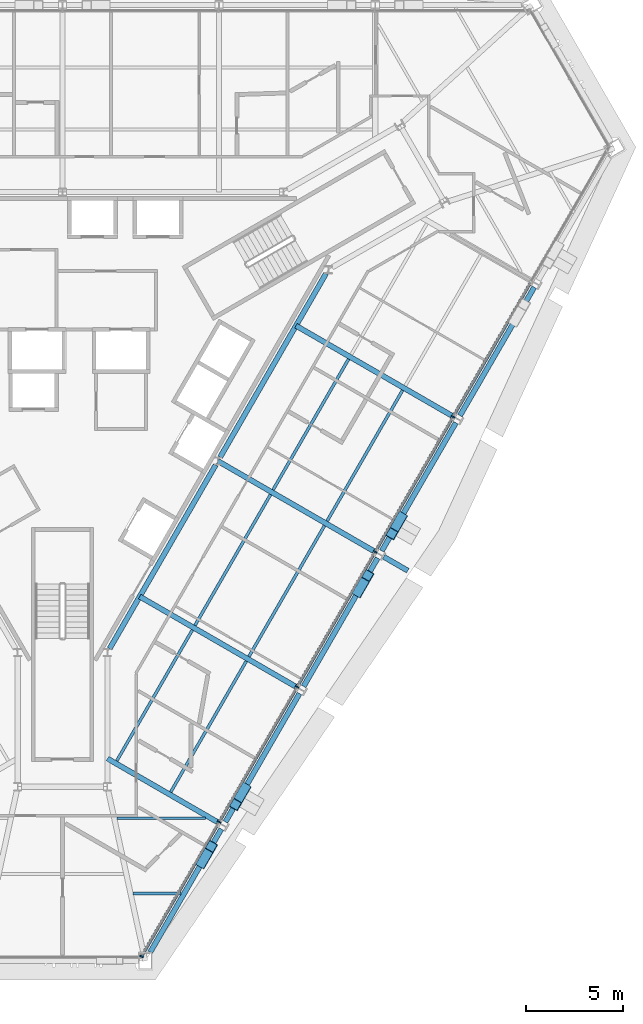
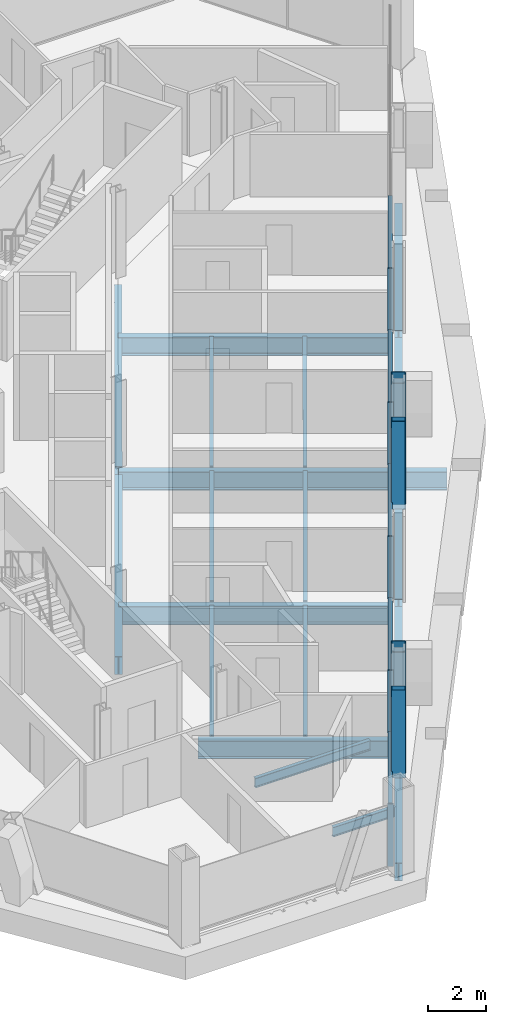
# One storey, part 5 of 16: 20 beams, 14 members, 1 element without a shape of its own.
"""IFC4 building model written with IfcOpenShell, lengths in metres."""

from ifc_helpers import new_model, si_unit, direction, frame, origin, origin_2d, place, context, subcontext, project, spatial, rectangle, hollow_rectangle, i_section, extrude, material, material_profile, profile_set, type_object, element, aggregate, save


model = new_model("IFC4")

# Units and contexts
model_context = context("Model", 3, precision=1e-05, world=origin(), true_north=direction((0.0, 1.0)))
body_context = subcontext(model_context, "Body", "Model", "MODEL_VIEW")
ifc_project = project(units=[si_unit("LENGTHUNIT", "METRE"), si_unit("AREAUNIT", "SQUARE_METRE"), si_unit("VOLUMEUNIT", "CUBIC_METRE"), si_unit("PLANEANGLEUNIT", "RADIAN"), si_unit("MASSUNIT", "GRAM", prefix="KILO")], contexts=[model_context])

# Site, building, storey
site_placement = place(None, origin())
site = spatial("IfcSite", under=ifc_project, at=site_placement, CompositionType="ELEMENT")
building_placement = place(site_placement, origin())
building = spatial("IfcBuilding", under=site, at=building_placement, Name="Verrane Prism Tower", CompositionType="ELEMENT")
storey_placement = place(building_placement, frame((0.0, 0.0, 110.800048828125)))
storey = spatial("IfcBuildingStorey", under=building, at=storey_placement, Name="L26", CompositionType="ELEMENT", Elevation=110.800048828125)

# Beams
ifc_material_1 = material(Name="Steel A992", Category="steel")
ifc_material_profile_1 = material_profile(ifc_material_1, i_section(OverallWidth=0.2666015625, OverallDepth=0.7568359375, WebThickness=0.013916015625, FlangeThickness=0.019287109375, FilletRadius=0.0166015625, at=origin_2d()), Name="W30x108")
ifc_profile_set_1 = profile_set([ifc_material_profile_1], Name="Steel A992")
beam_type_1 = type_object("IfcBeamType", Name="Core ring girder W30x108", PredefinedType="BEAM", material=ifc_profile_set_1)
beam_1_placement = place(storey_placement, frame((2.4150390625, -14.220703125, -0.628662109375), z_axis=(0.500034555306, 0.86600545235, 0.0), x_axis=(-0.86600545235, 0.500034555306, 0.0)))
element("IfcBeam", 1, at=beam_1_placement, inside=storey, type_object=beam_type_1, Name="Core ring girder L26", PredefinedType="BEAM", context=body_context, shape_type="SweptSolid", body=[
    extrude(i_section(OverallWidth=0.2666015625, OverallDepth=0.7568359375, WebThickness=0.013916015625, FlangeThickness=0.019287109375, FilletRadius=0.0166015625, at=origin_2d()), origin(), (0.0, 0.0, 1.0), 10.879150390625),
])
beam_2_placement = place(storey_placement, frame((8.0849609375, -4.400634765625, -0.628662109375), z_axis=(0.4993706109, 0.866388476937, 0.0), x_axis=(-0.866388476937, 0.4993706109, 0.0)))
element("IfcBeam", 2, at=beam_2_placement, inside=storey, type_object=beam_type_1, Name="Core ring girder L26", PredefinedType="BEAM", context=body_context, shape_type="SweptSolid", body=[
    extrude(i_section(OverallWidth=0.2666015625, OverallDepth=0.7568359375, WebThickness=0.013916015625, FlangeThickness=0.019287109375, FilletRadius=0.0166015625, at=origin_2d()), origin(), (0.0, 0.0, 1.0), 10.8740234375),
])

# Members
ifc_material_2 = material(Name="Steel A1085 Grade A", Category="steel")
ifc_material_profile_2 = material_profile(ifc_material_2, hollow_rectangle(XDim=0.508056640625, YDim=0.508056640625, WallThickness=0.025390625, InnerFilletRadius=0.0126953125, OuterFilletRadius=0.0380859375, at=origin_2d()), Name="HSS20x20x1")
ifc_profile_set_2 = profile_set([ifc_material_profile_2], Name="Steel A1085 Grade A")
member_type_1 = type_object("IfcMemberType", Name="Facade brace HSS20x20x1", PredefinedType="BRACE", material=ifc_profile_set_2)
for number, where, z_axis, x_axis, name in (
    (3, (7.1513671875, -25.194091796875, -0.24267578125), (0.151645245186, 0.262769272383, 0.952867267306), (-0.866117682712, 0.499840134137, 0.0), "Facade brace SE0 L26"),
    (4, (9.3486328125, -21.385986328125, -0.24267578125), (-0.151645245186, -0.262769272383, 0.952867267306), (0.866117682712, -0.499840134137, 0.0), "Facade brace SE1 L26"),
    (5, (15.17138671875, -11.294189453125, -0.24267578125), (0.151645245186, 0.262769272383, 0.952867267306), (-0.866117682712, 0.499840134137, 0.0), "Facade brace SE2 L26"),
):
    element("IfcMember", number, at=place(storey_placement, frame(where, z_axis=z_axis, x_axis=x_axis)), inside=storey, type_object=member_type_1, Name=name, PredefinedType="BRACE", context=body_context, shape_type="SweptSolid", body=[
        extrude(hollow_rectangle(XDim=0.508056640625, YDim=0.508056640625, WallThickness=0.025390625, InnerFilletRadius=0.0126953125, OuterFilletRadius=0.0380859375, at=origin_2d()), origin(), (0.0, 0.0, 1.0), 3.156982421875),
    ])
member_1_placement = place(storey_placement, frame((17.36865234375, -7.488525390625, -0.24267578125), z_axis=(-0.151657565217, -0.262481272997, 0.952944680576), x_axis=(0.865862617474, -0.500281848222, 0.0)))
element("IfcMember", 6, at=member_1_placement, inside=storey, type_object=member_type_1, Name="Facade brace SE3 L26", PredefinedType="BRACE", context=body_context, shape_type="SweptSolid", body=[
    extrude(hollow_rectangle(XDim=0.508056640625, YDim=0.508056640625, WallThickness=0.025390625, InnerFilletRadius=0.0126953125, OuterFilletRadius=0.0380859375, at=origin_2d()), origin(), (0.0, 0.0, 1.0), 3.15673828125),
])

# Beams
ifc_material_3 = material(Name="Steel A992", Category="steel")
ifc_material_profile_3 = material_profile(ifc_material_3, i_section(OverallWidth=0.140380859375, OverallDepth=0.40380859375, WebThickness=0.007080078125, FlangeThickness=0.01123046875, FilletRadius=0.01025390625, at=origin_2d()), Name="W16x31")
ifc_profile_set_3 = profile_set([ifc_material_profile_3], Name="Steel A992")
beam_type_2 = type_object("IfcBeamType", Name="Floor beam W16x31", PredefinedType="BEAM", material=ifc_profile_set_3)
beam_3_placement = place(storey_placement, frame((3.625, -26.776611328125, -0.362060546875), z_axis=(1.0, 0.0, 0.0), x_axis=(0.0, 1.0, 0.0)))
element("IfcBeam", 7, at=beam_3_placement, inside=storey, type_object=beam_type_2, Name="Floor beam L26", PredefinedType="BEAM", context=body_context, shape_type="SweptSolid", body=[
    extrude(i_section(OverallWidth=0.140380859375, OverallDepth=0.40380859375, WebThickness=0.007080078125, FlangeThickness=0.01123046875, FilletRadius=0.01025390625, at=origin_2d()), origin(), (0.0, 0.0, 1.0), 2.458984375),
])
beam_4_placement = place(storey_placement, frame((2.78662109375, -22.913330078125, -0.362060546875), z_axis=(1.0, 0.0, 0.0), x_axis=(0.0, 1.0, 0.0)))
element("IfcBeam", 8, at=beam_4_placement, inside=storey, type_object=beam_type_2, Name="Floor beam L26", PredefinedType="BEAM", context=body_context, shape_type="SweptSolid", body=[
    extrude(i_section(OverallWidth=0.140380859375, OverallDepth=0.40380859375, WebThickness=0.007080078125, FlangeThickness=0.01123046875, FilletRadius=0.01025390625, at=origin_2d()), origin(), (0.0, 0.0, 1.0), 4.544921875),
])
ifc_material_4 = material(Name="Steel A992", Category="steel")
ifc_material_profile_4 = material_profile(ifc_material_4, i_section(OverallWidth=0.15234375, OverallDepth=0.449462890625, WebThickness=0.007568359375, FlangeThickness=0.0107421875, FilletRadius=0.01025390625, at=origin_2d()), Name="W18x35")
ifc_profile_set_4 = profile_set([ifc_material_profile_4], Name="Steel A992")
beam_type_3 = type_object("IfcBeamType", Name="Floor beam W18x35", PredefinedType="BEAM", material=ifc_profile_set_4)
beam_5_placement = place(storey_placement, frame((5.5498046875, -21.57470703125, -0.384765625), z_axis=(0.500009527944, 0.866019902754, 0.0), x_axis=(-0.866019902754, 0.500009527944, 0.0)))
element("IfcBeam", 9, at=beam_5_placement, inside=storey, type_object=beam_type_3, Name="Floor beam L26", PredefinedType="BEAM", context=body_context, shape_type="SweptSolid", body=[
    extrude(i_section(OverallWidth=0.15234375, OverallDepth=0.449462890625, WebThickness=0.007568359375, FlangeThickness=0.0107421875, FilletRadius=0.01025390625, at=origin_2d()), origin(), (0.0, 0.0, 1.0), 7.754150390625),
])
beam_6_placement = place(storey_placement, frame((2.783203125, -19.97509765625, -0.384765625), z_axis=(0.500000526688, 0.866025099701, 0.0), x_axis=(-0.866025099701, 0.500000526688, 0.0)))
element("IfcBeam", 10, at=beam_6_placement, inside=storey, type_object=beam_type_3, Name="Floor beam L26", PredefinedType="BEAM", context=body_context, shape_type="SweptSolid", body=[
    extrude(i_section(OverallWidth=0.15234375, OverallDepth=0.449462890625, WebThickness=0.007568359375, FlangeThickness=0.0107421875, FilletRadius=0.01025390625, at=origin_2d()), origin(), (0.0, 0.0, 1.0), 7.751953125),
])
for number, where, z_axis, x_axis, name in (
    (11, (9.559326171875, -14.627197265625, -0.384765625), (0.500028499731, 0.866008948832, 0.0), (-0.866008948832, 0.500028499731, 0.0), "Floor beam L26"),
    (12, (6.7919921875, -13.0302734375, -0.384765625), (0.500028499731, 0.866008948832, 0.0), (-0.866008948832, 0.500028499731, 0.0), "Floor beam L26"),
):
    element("IfcBeam", number, at=place(storey_placement, frame(where, z_axis=z_axis, x_axis=x_axis)), inside=storey, type_object=beam_type_3, Name=name, PredefinedType="BEAM", context=body_context, shape_type="SweptSolid", body=[
        extrude(i_section(OverallWidth=0.15234375, OverallDepth=0.449462890625, WebThickness=0.007568359375, FlangeThickness=0.0107421875, FilletRadius=0.01025390625, at=origin_2d()), origin(), (0.0, 0.0, 1.0), 7.7568359375),
    ])
beam_7_placement = place(storey_placement, frame((13.568603515625, -7.6767578125, -0.384765625), z_axis=(0.499981532947, 0.86603606548, 0.0), x_axis=(-0.86603606548, 0.499981532947, 0.0)))
element("IfcBeam", 13, at=beam_7_placement, inside=storey, type_object=beam_type_3, Name="Floor beam L26", PredefinedType="BEAM", context=body_context, shape_type="SweptSolid", body=[
    extrude(i_section(OverallWidth=0.15234375, OverallDepth=0.449462890625, WebThickness=0.007568359375, FlangeThickness=0.0107421875, FilletRadius=0.01025390625, at=origin_2d()), origin(), (0.0, 0.0, 1.0), 7.749267578125),
])
beam_8_placement = place(storey_placement, frame((10.7978515625, -6.077880859375, -0.384765625), z_axis=(0.499984211786, 0.866034518922, 0.0), x_axis=(-0.866034518922, 0.499984211786, 0.0)))
element("IfcBeam", 14, at=beam_8_placement, inside=storey, type_object=beam_type_3, Name="Floor beam L26", PredefinedType="BEAM", context=body_context, shape_type="SweptSolid", body=[
    extrude(i_section(OverallWidth=0.15234375, OverallDepth=0.449462890625, WebThickness=0.007568359375, FlangeThickness=0.0107421875, FilletRadius=0.01025390625, at=origin_2d()), origin(), (0.0, 0.0, 1.0), 7.750732421875),
])

# Curtain wall, members
ifc_material_5 = material(Name="Aluminium framed insulated glazing", Category="aluminium")
curtain_wall_type = type_object("IfcCurtainWallType", Name="Curtain wall CW-A 8400 module", PredefinedType="NOTDEFINED", material=ifc_material_5)
curtain_wall_placement = place(storey_placement, origin())
curtain_wall = element("IfcCurtainWall", 15, at=curtain_wall_placement, inside=storey, type_object=curtain_wall_type, Name="Glazed curtain wall south-east face L26", PredefinedType="NOTDEFINED")
ifc_material_6 = material(Name="Aluminium alloy 6063-T6", Category="aluminium")
ifc_material_profile_5 = material_profile(ifc_material_6, rectangle(XDim=0.199951171875, YDim=0.070068359375, at=origin_2d()), Name="Mullion 70x200 aluminium")
ifc_profile_set_5 = profile_set([ifc_material_profile_5], Name="Aluminium alloy 6063-T6")
member_type_2 = type_object("IfcMemberType", Name="Mullion 70x200 aluminium", PredefinedType="MULLION", material=ifc_profile_set_5)
member_2_placement = place(storey_placement, frame((4.051513671875, -30.004638671875, 0.0), z_axis=(0.0, 0.0, 1.0), x_axis=(-0.866025402318, 0.500000002539, 0.0)))
member_2 = element("IfcMember", 16, at=member_2_placement, type_object=member_type_2, Name="CW24.6 mullion 1", PredefinedType="MULLION", context=body_context, shape_type="SweptSolid", body=[
    extrude(rectangle(XDim=0.199951171875, YDim=0.070068359375, at=origin_2d()), origin(), (0.0, 0.0, 1.0), 2.61279296875),
])
member_3_placement = place(storey_placement, frame((8.032958984375, -23.1083984375, 0.0), z_axis=(0.0, 0.0, 1.0), x_axis=(-0.866025402318, 0.500000002539, 0.0)))
member_3 = element("IfcMember", 17, at=member_3_placement, type_object=member_type_2, Name="CW24.6 mullion 2", PredefinedType="MULLION", context=body_context, shape_type="SweptSolid", body=[
    extrude(rectangle(XDim=0.199951171875, YDim=0.070068359375, at=origin_2d()), origin(), (0.0, 0.0, 1.0), 2.61279296875),
])
member_4_placement = place(storey_placement, frame((12.031982421875, -16.181884765625, 0.0), z_axis=(0.0, 0.0, 1.0), x_axis=(-0.866025402318, 0.500000002539, 0.0)))
member_4 = element("IfcMember", 18, at=member_4_placement, type_object=member_type_2, Name="CW24.6 mullion 3", PredefinedType="MULLION", context=body_context, shape_type="SweptSolid", body=[
    extrude(rectangle(XDim=0.199951171875, YDim=0.070068359375, at=origin_2d()), origin(), (0.0, 0.0, 1.0), 2.61279296875),
])
member_5_placement = place(storey_placement, frame((16.031005859375, -9.255615234375, 0.0), z_axis=(0.0, 0.0, 1.0), x_axis=(-0.866025402318, 0.500000002539, 0.0)))
member_5 = element("IfcMember", 19, at=member_5_placement, type_object=member_type_2, Name="CW24.6 mullion 4", PredefinedType="MULLION", context=body_context, shape_type="SweptSolid", body=[
    extrude(rectangle(XDim=0.199951171875, YDim=0.070068359375, at=origin_2d()), origin(), (0.0, 0.0, 1.0), 2.61279296875),
])
member_6_placement = place(storey_placement, frame((20.030029296875, -2.3291015625, 0.0), z_axis=(0.0, 0.0, 1.0), x_axis=(-0.866025402318, 0.500000002539, 0.0)))
member_6 = element("IfcMember", 20, at=member_6_placement, type_object=member_type_2, Name="CW24.6 mullion 5", PredefinedType="MULLION", context=body_context, shape_type="SweptSolid", body=[
    extrude(rectangle(XDim=0.199951171875, YDim=0.070068359375, at=origin_2d()), origin(), (0.0, 0.0, 1.0), 2.61279296875),
])

# Beams
ifc_material_7 = material(Name="Steel A992", Category="steel")
ifc_material_profile_6 = material_profile(ifc_material_7, i_section(OverallWidth=0.2666015625, OverallDepth=0.76708984375, WebThickness=0.014892578125, FlangeThickness=0.023681640625, FilletRadius=0.0166015625, at=origin_2d()), Name="W30x124")
ifc_profile_set_6 = profile_set([ifc_material_profile_6], Name="Steel A992")
beam_type_4 = type_object("IfcBeamType", Name="Radial girder W30x124", PredefinedType="BEAM", material=ifc_profile_set_6)
beam_9_placement = place(storey_placement, frame((8.044189453125, -23.17138671875, -0.603515625), z_axis=(-0.866007825616, 0.500030445044, 0.0), x_axis=(-0.500030445044, -0.866007825616, 0.0)))
element("IfcBeam", 21, at=beam_9_placement, inside=storey, type_object=beam_type_4, Name="Radial girder L26", PredefinedType="BEAM", context=body_context, shape_type="SweptSolid", body=[
    extrude(i_section(OverallWidth=0.2666015625, OverallDepth=0.76708984375, WebThickness=0.014892578125, FlangeThickness=0.023681640625, FilletRadius=0.0166015625, at=origin_2d()), origin(), (0.0, 0.0, 1.0), 6.6328125),
])
beam_10_placement = place(storey_placement, frame((12.05419921875, -16.22119140625, -0.603515625), z_axis=(-0.866018138487, 0.500012583653, 0.0), x_axis=(-0.500012583653, -0.866018138487, 0.0)))
element("IfcBeam", 22, at=beam_10_placement, inside=storey, type_object=beam_type_4, Name="Radial girder L26", PredefinedType="BEAM", context=body_context, shape_type="SweptSolid", body=[
    extrude(i_section(OverallWidth=0.2666015625, OverallDepth=0.76708984375, WebThickness=0.014892578125, FlangeThickness=0.023681640625, FilletRadius=0.0166015625, at=origin_2d()), origin(), (0.0, 0.0, 1.0), 9.347900390625),
])
beam_11_placement = place(storey_placement, frame((16.064208984375, -9.271240234375, -0.603515625), z_axis=(-0.866015917575, 0.500016430238, 0.0), x_axis=(-0.500016430238, -0.866015917575, 0.0)))
element("IfcBeam", 23, at=beam_11_placement, inside=storey, type_object=beam_type_4, Name="Radial girder L26", PredefinedType="BEAM", context=body_context, shape_type="SweptSolid", body=[
    extrude(i_section(OverallWidth=0.2666015625, OverallDepth=0.76708984375, WebThickness=0.014892578125, FlangeThickness=0.023681640625, FilletRadius=0.0166015625, at=origin_2d()), origin(), (0.0, 0.0, 1.0), 9.345458984375),
])
beam_12_placement = place(storey_placement, frame((20.07421875, -2.331298828125, -0.603515625), z_axis=(-0.866026073768, 0.499998839552, 0.0), x_axis=(-0.499998839552, -0.866026073768, 0.0)))
element("IfcBeam", 24, at=beam_12_placement, inside=storey, type_object=beam_type_4, Name="Radial girder L26", PredefinedType="BEAM", context=body_context, shape_type="SweptSolid", body=[
    extrude(i_section(OverallWidth=0.2666015625, OverallDepth=0.76708984375, WebThickness=0.014892578125, FlangeThickness=0.023681640625, FilletRadius=0.0166015625, at=origin_2d()), origin(), (0.0, 0.0, 1.0), 9.35400390625),
])
beam_13_placement = place(storey_placement, frame((16.47216796875, -9.506591796875, -0.603515625), z_axis=(0.866000213925, -0.500043627578, 0.0), x_axis=(0.500043627578, 0.866000213925, 0.0)))
element("IfcBeam", 25, at=beam_13_placement, inside=storey, type_object=beam_type_4, Name="Cantilever girder L26", PredefinedType="BEAM", context=body_context, shape_type="SweptSolid", body=[
    extrude(i_section(OverallWidth=0.2666015625, OverallDepth=0.76708984375, WebThickness=0.014892578125, FlangeThickness=0.023681640625, FilletRadius=0.0166015625, at=origin_2d()), origin(), (0.0, 0.0, 1.0), 1.425537109375),
])
ifc_material_8 = material(Name="Steel A992", Category="steel")
ifc_material_profile_7 = material_profile(ifc_material_8, i_section(OverallWidth=0.2666015625, OverallDepth=0.7568359375, WebThickness=0.013916015625, FlangeThickness=0.019287109375, FilletRadius=0.0166015625, at=origin_2d()), Name="W30x108")
ifc_profile_set_7 = profile_set([ifc_material_profile_7], Name="Steel A992")
beam_type_5 = type_object("IfcBeamType", Name="Spandrel beam W30x108", PredefinedType="SPANDREL", material=ifc_profile_set_7)
beam_14_placement = place(storey_placement, frame((4.49951171875, -29.7900390625, -0.53857421875), z_axis=(0.499768824934, 0.866158831638, 0.0), x_axis=(-0.866158831638, 0.499768824934, 0.0)))
element("IfcBeam", 26, at=beam_14_placement, inside=storey, type_object=beam_type_5, Name="Spandrel beam L26", PredefinedType="SPANDREL", context=body_context, shape_type="SweptSolid", body=[
    extrude(i_section(OverallWidth=0.2666015625, OverallDepth=0.7568359375, WebThickness=0.013916015625, FlangeThickness=0.019287109375, FilletRadius=0.0166015625, at=origin_2d()), origin(), (0.0, 0.0, 1.0), 7.29248046875),
])
for number, where, z_axis, x_axis, name in (
    (27, (8.35595703125, -23.106201171875, -0.53857421875), (0.499770658239, 0.866157773828, 0.0), (-0.866157773828, 0.499770658239, 0.0), "Spandrel beam L26"),
    (28, (12.365966796875, -16.15625, -0.53857421875), (0.499770658239, 0.866157773828, 0.0), (-0.866157773828, 0.499770658239, 0.0), "Spandrel beam L26"),
):
    element("IfcBeam", number, at=place(storey_placement, frame(where, z_axis=z_axis, x_axis=x_axis)), inside=storey, type_object=beam_type_5, Name=name, PredefinedType="SPANDREL", context=body_context, shape_type="SweptSolid", body=[
        extrude(i_section(OverallWidth=0.2666015625, OverallDepth=0.7568359375, WebThickness=0.013916015625, FlangeThickness=0.019287109375, FilletRadius=0.0166015625, at=origin_2d()), origin(), (0.0, 0.0, 1.0), 7.599609375),
    ])
beam_15_placement = place(storey_placement, frame((16.376220703125, -9.206298828125, -0.53857421875), z_axis=(0.500279205376, 0.865864144464, 0.0), x_axis=(-0.865864144464, 0.500279205376, 0.0)))
element("IfcBeam", 29, at=beam_15_placement, inside=storey, type_object=beam_type_5, Name="Spandrel beam L26", PredefinedType="SPANDREL", context=body_context, shape_type="SweptSolid", body=[
    extrude(i_section(OverallWidth=0.2666015625, OverallDepth=0.7568359375, WebThickness=0.013916015625, FlangeThickness=0.019287109375, FilletRadius=0.0166015625, at=origin_2d()), origin(), (0.0, 0.0, 1.0), 7.591064453125),
])
beam_16_placement = place(storey_placement, frame((20.38623046875, -2.266357421875, -0.53857421875), z_axis=(0.500695808248, 0.865623305834, 0.0), x_axis=(-0.865623305834, 0.500695808248, 0.0)))
element("IfcBeam", 30, at=beam_16_placement, inside=storey, type_object=beam_type_5, Name="Spandrel beam L26", PredefinedType="SPANDREL", context=body_context, shape_type="SweptSolid", body=[
    extrude(i_section(OverallWidth=0.2666015625, OverallDepth=0.7568359375, WebThickness=0.013916015625, FlangeThickness=0.019287109375, FilletRadius=0.0166015625, at=origin_2d()), origin(), (0.0, 0.0, 1.0), 7.604736328125),
])

# Member
ifc_material_9 = material(Name="Aluminium alloy 6063-T6", Category="aluminium")
ifc_material_profile_8 = material_profile(ifc_material_9, rectangle(XDim=0.14990234375, YDim=0.070068359375, at=origin_2d()), Name="Transom 70x150 aluminium")
ifc_profile_set_8 = profile_set([ifc_material_profile_8], Name="Aluminium alloy 6063-T6")
member_type_3 = type_object("IfcMemberType", Name="Transom 70x150 aluminium", PredefinedType="USERDEFINED", material=ifc_profile_set_8)
member_7_placement = place(storey_placement, frame((4.06884765625, -29.974365234375, 0.034912109375), z_axis=(0.500008053694, 0.866020753932, 0.0), x_axis=(-0.866020753932, 0.500008053694, 0.0)))
member_7 = element("IfcMember", 31, at=member_7_placement, type_object=member_type_3, Name="CW24.6 transom 1", ObjectType="TRANSOM", PredefinedType="USERDEFINED", context=body_context, shape_type="SweptSolid", body=[
    extrude(rectangle(XDim=0.14990234375, YDim=0.070068359375, at=origin_2d()), origin(), (0.0, 0.0, 1.0), 7.892822265625),
])

member_8_placement = place(storey_placement, frame((8.050537109375, -23.078125, 0.034912109375), z_axis=(0.499994358189, 0.866028661061, 0.0), x_axis=(-0.866028661061, 0.499994358189, 0.0)))
member_8 = element("IfcMember", 32, at=member_8_placement, type_object=member_type_3, Name="CW24.6 transom 2", ObjectType="TRANSOM", PredefinedType="USERDEFINED", context=body_context, shape_type="SweptSolid", body=[
    extrude(rectangle(XDim=0.14990234375, YDim=0.070068359375, at=origin_2d()), origin(), (0.0, 0.0, 1.0), 7.927734375),
])

member_9_placement = place(storey_placement, frame((12.04931640625, -16.151611328125, 0.034912109375), z_axis=(0.50001745439, 0.866015326253, 0.0), x_axis=(-0.866015326253, 0.50001745439, 0.0)))
member_9 = element("IfcMember", 33, at=member_9_placement, type_object=member_type_3, Name="CW24.6 transom 3", ObjectType="TRANSOM", PredefinedType="USERDEFINED", context=body_context, shape_type="SweptSolid", body=[
    extrude(rectangle(XDim=0.14990234375, YDim=0.070068359375, at=origin_2d()), origin(), (0.0, 0.0, 1.0), 7.927978515625),
])

member_10_placement = place(storey_placement, frame((16.04833984375, -9.22509765625, 0.034912109375), z_axis=(0.50001745439, 0.866015326253, 0.0), x_axis=(-0.866015326253, 0.50001745439, 0.0)))
member_10 = element("IfcMember", 34, at=member_10_placement, type_object=member_type_3, Name="CW24.6 transom 4", ObjectType="TRANSOM", PredefinedType="USERDEFINED", context=body_context, shape_type="SweptSolid", body=[
    extrude(rectangle(XDim=0.14990234375, YDim=0.070068359375, at=origin_2d()), origin(), (0.0, 0.0, 1.0), 7.927978515625),
])

member_11_placement = place(storey_placement, frame((20.04736328125, -2.298583984375, 0.034912109375), z_axis=(0.50001745439, 0.866015326253, 0.0), x_axis=(-0.866015326253, 0.50001745439, 0.0)))
member_11 = element("IfcMember", 35, at=member_11_placement, type_object=member_type_3, Name="CW24.6 transom 5", ObjectType="TRANSOM", PredefinedType="USERDEFINED", context=body_context, shape_type="SweptSolid", body=[
    extrude(rectangle(XDim=0.14990234375, YDim=0.070068359375, at=origin_2d()), origin(), (0.0, 0.0, 1.0), 7.927978515625),
])

aggregate(curtain_wall, [member_2, member_3, member_4, member_5, member_6, member_7, member_8, member_9, member_10, member_11])

save(model, "model.ifc")
